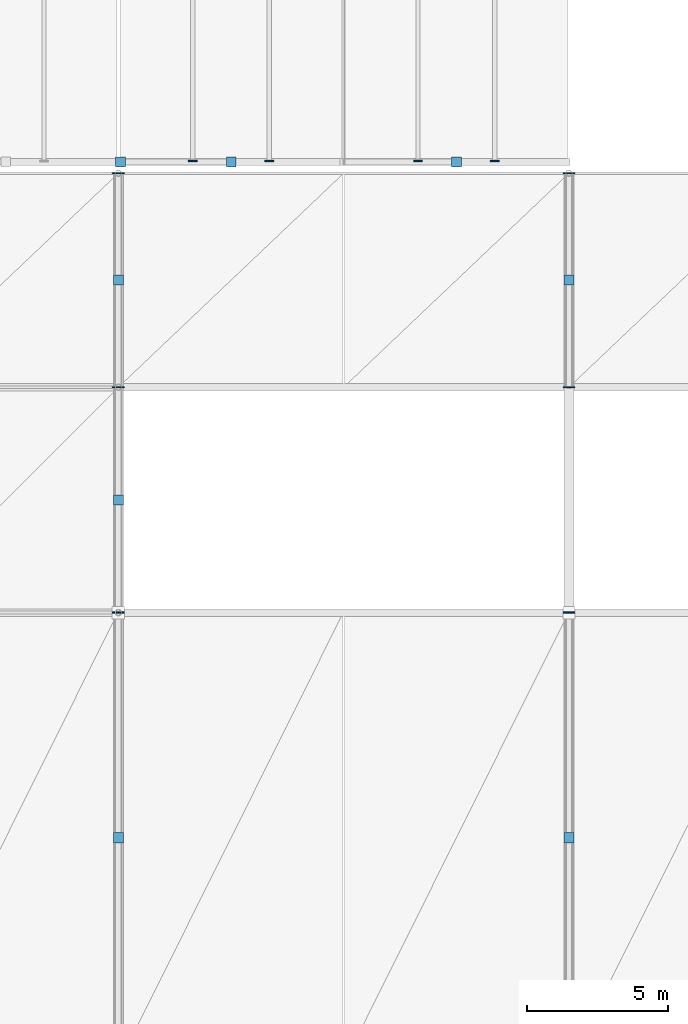
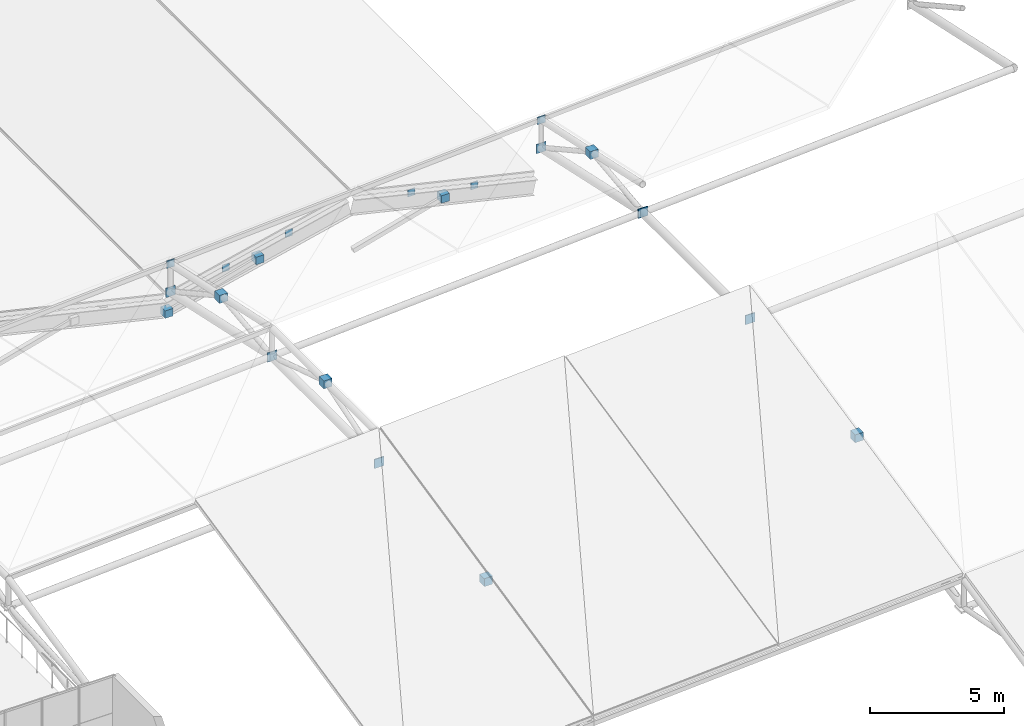
# One storey, part 51 of 67: 20 discrete accessories.
"""IFC4 building model written with IfcOpenShell, lengths in metres."""

import ifcopenshell
import ifcopenshell.guid

model = None  # the IFC model being written
_history = None  # IfcOwnerHistory: only IFC2X3 demands one
_inside = {}  # id of a spatial element -> (the spatial element, [elements in it])
_under = {}  # id of a project, library or spatial element -> (it, [spatial elements below it])
_declared = {}  # id of a project -> (the project, [libraries it declares])
_typed = {}  # id of a type object -> (the type object, [elements of that type])
_made_of = {}  # id of a material, layer set ... -> (it, [elements and type objects made of it])


def new_model(schema):
    """Start an empty IFC model of exactly this schema.

    Asked for "IFC4X3", IfcOpenShell would pick the latest addendum, in which some entities
    have other attributes; the version numbers below select the first issue.
    IFC2X3 requires an IfcOwnerHistory on every rooted entity: one is made here for all.
    """
    global model, _history
    if schema == "IFC4X3":
        model = ifcopenshell.file(schema_version=(4, 3, 0, 0))
    else:
        model = ifcopenshell.file(schema=schema)
    _inside.clear()
    _under.clear()
    _declared.clear()
    _typed.clear()
    _made_of.clear()
    _history = None
    if model.schema == "IFC2X3":
        org = make("IfcOrganization", Name="unknown")
        user = make(
            "IfcPersonAndOrganization",
            ThePerson=make("IfcPerson", FamilyName="unknown"),
            TheOrganization=org,
        )
        app = make(
            "IfcApplication",
            ApplicationDeveloper=org,
            Version="unknown",
            ApplicationFullName="unknown",
            ApplicationIdentifier="unknown",
        )
        _history = make(
            "IfcOwnerHistory",
            OwningUser=user,
            OwningApplication=app,
            ChangeAction="ADDED",
            CreationDate=0,
        )
    return model


def make(cls, **values):
    """One entity of the class cls with the attributes given. An attribute that is None is left unset."""
    return model.create_entity(
        cls, **{name: value for name, value in values.items() if value is not None}
    )


def rooted(cls, **values):
    """An entity with a GlobalId (a new one), such as an element, a storey or a relation."""
    return make(cls, GlobalId=ifcopenshell.guid.new(), OwnerHistory=_history, **values)


def si_unit(unit_type, name, prefix=None):
    """IfcSIUnit, for example si_unit("LENGTHUNIT", "METRE", prefix="MILLI")."""
    return make("IfcSIUnit", UnitType=unit_type, Prefix=prefix, Name=name)


def assignment(units):
    """IfcUnitAssignment: the units of a project."""
    return None if units is None else make("IfcUnitAssignment", Units=units)


def point(xyz):
    """IfcCartesianPoint."""
    return None if xyz is None else make("IfcCartesianPoint", Coordinates=xyz)


def direction(xyz):
    """IfcDirection."""
    return None if xyz is None else make("IfcDirection", DirectionRatios=xyz)


def frame(location, z_axis=None, x_axis=None):
    """IfcAxis2Placement3D, a coordinate frame: its origin and axes. An axis left out is left unset."""
    return make(
        "IfcAxis2Placement3D",
        Location=point(location),
        Axis=direction(z_axis),
        RefDirection=direction(x_axis),
    )


def frame_2d(location, x_axis=None):
    """IfcAxis2Placement2D, a coordinate frame in the plane: its origin and x axis."""
    return make(
        "IfcAxis2Placement2D", Location=point(location), RefDirection=direction(x_axis)
    )


def origin():
    """The frame at (0, 0, 0) with its axes left unset."""
    return frame((0.0, 0.0, 0.0))


def origin_2d():
    """The frame at (0, 0) in the plane with its x axis left unset."""
    return frame_2d((0.0, 0.0))


def place(relative_to, where):
    """IfcLocalPlacement: puts the frame where relative to a parent placement (None: the world)."""
    return make(
        "IfcLocalPlacement", PlacementRelTo=relative_to, RelativePlacement=where
    )


def context(
    kind, dimensions, precision=None, world=None, true_north=None, identifier=None
):
    """IfcGeometricRepresentationContext, for example the 3D "Model" context."""
    return make(
        "IfcGeometricRepresentationContext",
        ContextIdentifier=identifier,
        ContextType=kind,
        CoordinateSpaceDimension=dimensions,
        Precision=precision,
        WorldCoordinateSystem=world,
        TrueNorth=true_north,
    )


def subcontext(parent, identifier, kind, view, scale=None):
    """IfcGeometricRepresentationSubContext, for example "Body" below "Model"."""
    return make(
        "IfcGeometricRepresentationSubContext",
        ContextIdentifier=identifier,
        ContextType=kind,
        ParentContext=parent,
        TargetScale=scale,
        TargetView=view,
    )


def project(units=None, contexts=None):
    """IfcProject with its units and contexts."""
    return rooted(
        "IfcProject",
        Name="project",
        RepresentationContexts=contexts,
        UnitsInContext=assignment(units),
    )


def spatial(cls, under=None, at=None, **own):
    """A site, building, storey or space (cls), placed at a placement, below another one or the project."""
    s = rooted(cls, ObjectPlacement=at, **own)
    if under is not None:
        _under.setdefault(under.id(), (under, []))[1].append(s)
    return s


def profile(cls, at=None, kind="AREA", **sizes):
    """A parametric profile (cls). Its sizes go by their IFC names, for example OverallWidth=200.0."""
    return make(cls, ProfileType=kind, Position=at, **sizes)


def rectangle(**sizes):
    """IfcRectangleProfileDef."""
    return profile("IfcRectangleProfileDef", **sizes)


def extrude(swept, where, along, depth):
    """IfcExtrudedAreaSolid: the profile swept, set in the frame where, extruded along a direction by depth."""
    return make(
        "IfcExtrudedAreaSolid",
        SweptArea=swept,
        Position=where,
        ExtrudedDirection=direction(along),
        Depth=depth,
    )


def shape(context_of_items, identifier, shape_type, items):
    """IfcShapeRepresentation: the items that make up one representation, for example the "Body"."""
    return make(
        "IfcShapeRepresentation",
        ContextOfItems=context_of_items,
        RepresentationIdentifier=identifier,
        RepresentationType=shape_type,
        Items=items,
    )


def material(Name=None, Category=None):
    """IfcMaterial."""
    return make("IfcMaterial", Name=Name, Category=Category)


def made_of(thing, what):
    """Note that an element or type object is made of a material, layer set ...; save() writes the relation."""
    if what is not None:
        _made_of.setdefault(what.id(), (what, []))[1].append(thing)
    return thing


def type_object(cls, material=None, **own):
    """A type object (cls), such as IfcWallType, which elements share."""
    return made_of(rooted(cls, **own), material)


def element(
    cls,
    number,
    at=None,
    inside=None,
    cuts=None,
    type_object=None,
    material=None,
    context=None,
    identifier="Body",
    shape_type=None,
    held_by="IfcProductDefinitionShape",
    body=None,
    shapes=None,
    **own,
):
    """One element of the class cls, such as IfcWall. Its Tag is "e" and its number.

    at: its placement. inside: the storey or other place that contains it. cuts: it is an
    opening in that element (IfcRelVoidsElement). A single representation is given by context,
    identifier, shape_type and body (its items); several are given by shapes. held_by: the class
    of the entity that holds the representations. save() writes the other relations.
    """
    e = rooted(cls, Tag="e%d" % number, ObjectPlacement=at, **own)
    if body is not None:
        shapes = [shape(context, identifier, shape_type, body)]
    if shapes is not None:
        e.Representation = make(held_by, Representations=shapes)
    if inside is not None:
        _inside.setdefault(inside.id(), (inside, []))[1].append(e)
    if cuts is not None:
        rooted(
            "IfcRelVoidsElement", RelatingBuildingElement=cuts, RelatedOpeningElement=e
        )
    if type_object is not None:
        _typed.setdefault(type_object.id(), (type_object, []))[1].append(e)
    return made_of(e, material)


def aggregate(whole, parts):
    """IfcRelAggregates: a whole, such as a stair, and the parts it consists of."""
    return rooted("IfcRelAggregates", RelatingObject=whole, RelatedObjects=parts)


def save(model, path):
    """Write the relations noted so far, then the file.

    IfcRelAggregates (storeys below a building ...), IfcRelContainedInSpatialStructure (elements
    in a storey), IfcRelDefinesByType, IfcRelAssociatesMaterial and IfcRelDeclares: one each for
    every whole, place, type object, material and project.
    """
    for whole, parts in _under.values():
        aggregate(whole, parts)
    for where, things in _inside.values():
        rooted(
            "IfcRelContainedInSpatialStructure",
            RelatedElements=things,
            RelatingStructure=where,
        )
    for kind, things in _typed.values():
        rooted("IfcRelDefinesByType", RelatedObjects=things, RelatingType=kind)
    for what, things in _made_of.values():
        rooted("IfcRelAssociatesMaterial", RelatedObjects=things, RelatingMaterial=what)
    for by, libraries in _declared.values():
        rooted("IfcRelDeclares", RelatingContext=by, RelatedDefinitions=libraries)
    model.write(path)


model = new_model("IFC4")

# Units and contexts
model_context = context("Model", 3, precision=1e-05, world=origin(), true_north=direction((0.0, 1.0)))
body_context = subcontext(model_context, "Body", "Model", "MODEL_VIEW")
ifc_project = project(units=[si_unit("LENGTHUNIT", "METRE"), si_unit("AREAUNIT", "SQUARE_METRE"), si_unit("VOLUMEUNIT", "CUBIC_METRE"), si_unit("PLANEANGLEUNIT", "RADIAN"), si_unit("MASSUNIT", "GRAM", prefix="KILO")], contexts=[model_context])

# Site, building, storey
site_placement = place(None, origin())
site = spatial("IfcSite", under=ifc_project, at=site_placement, CompositionType="ELEMENT")
building_placement = place(site_placement, origin())
building = spatial("IfcBuilding", under=site, at=building_placement, Name="Drelvath Fold Interchange", CompositionType="ELEMENT")
storey_placement = place(building_placement, frame((0.0, 0.0, 15.60009765625)))
storey = spatial("IfcBuildingStorey", under=building, at=storey_placement, Name="L03", CompositionType="ELEMENT", Elevation=15.60009765625)

# Discrete accessories
ifc_material = material(Name="Steel ASTM A572 Grade 50", Category="steel")
discrete_accessory_type = type_object("IfcDiscreteAccessoryType", Name="AC-CAP380", PredefinedType="BRACKET", material=ifc_material)
discrete_accessory_1_placement = place(storey_placement, frame((68.0, 43.0048828125, 2.372802734375), z_axis=(0.0, 0.0, 1.0), x_axis=(1.0, 0.0, 0.0)))
element("IfcDiscreteAccessory", 1, at=discrete_accessory_1_placement, inside=storey, type_object=discrete_accessory_type, Name="Welded hollow member end cap 153", PredefinedType="BRACKET", context=body_context, shape_type="SweptSolid", body=[
    extrude(rectangle(XDim=0.416015625, YDim=0.0400390625, at=origin_2d()), origin(), (0.0, 0.0, 1.0), 0.416015625),
])
discrete_accessory_2_placement = place(storey_placement, frame((68.0, 35.0048828125, 1.928466796875), z_axis=(0.0, 0.0, 1.0), x_axis=(1.0, 0.0, 0.0)))
element("IfcDiscreteAccessory", 2, at=discrete_accessory_2_placement, inside=storey, type_object=discrete_accessory_type, Name="Welded hollow member end cap 154", PredefinedType="BRACKET", context=body_context, shape_type="SweptSolid", body=[
    extrude(rectangle(XDim=0.35888671875, YDim=0.35888671875, at=origin_2d()), origin(), (0.0, 0.0, 1.0), 0.35888671875),
])
discrete_accessory_3_placement = place(storey_placement, frame((68.0, 51.0048828125, 2.371826171875), z_axis=(0.0, 0.0, 1.0), x_axis=(1.0, 0.0, 0.0)))
element("IfcDiscreteAccessory", 3, at=discrete_accessory_3_placement, inside=storey, type_object=discrete_accessory_type, Name="Welded hollow member end cap 155", PredefinedType="BRACKET", context=body_context, shape_type="SweptSolid", body=[
    extrude(rectangle(XDim=0.416015625, YDim=0.0400390625, at=origin_2d()), origin(), (0.0, 0.0, 1.0), 0.416015625),
])
discrete_accessory_4_placement = place(storey_placement, frame((68.0, 47.0048828125, 3.67236328125), z_axis=(0.0, 0.0, 1.0), x_axis=(1.0, 0.0, 0.0)))
element("IfcDiscreteAccessory", 4, at=discrete_accessory_4_placement, inside=storey, type_object=discrete_accessory_type, Name="Welded hollow member end cap 156", PredefinedType="BRACKET", context=body_context, shape_type="SweptSolid", body=[
    extrude(rectangle(XDim=0.35888671875, YDim=0.35888671875, at=origin_2d()), origin(), (0.0, 0.0, 1.0), 0.35888671875),
])
discrete_accessory_5_placement = place(storey_placement, frame((68.0, 58.60498046875, 0.7138671875), z_axis=(0.0, 0.0, 1.0), x_axis=(1.0, 0.0, 0.0)))
element("IfcDiscreteAccessory", 5, at=discrete_accessory_5_placement, inside=storey, type_object=discrete_accessory_type, Name="Welded hollow member end cap 157", PredefinedType="BRACKET", context=body_context, shape_type="SweptSolid", body=[
    extrude(rectangle(XDim=0.416015625, YDim=0.0400390625, at=origin_2d()), origin(), (0.0, 0.0, 1.0), 0.416015625),
])
discrete_accessory_6_placement = place(storey_placement, frame((68.0, 58.60498046875, 2.025390625), z_axis=(0.0, 0.0, 1.0), x_axis=(1.0, 0.0, 0.0)))
element("IfcDiscreteAccessory", 6, at=discrete_accessory_6_placement, inside=storey, type_object=discrete_accessory_type, Name="Welded hollow member end cap 158", PredefinedType="BRACKET", context=body_context, shape_type="SweptSolid", body=[
    extrude(rectangle(XDim=0.3330078125, YDim=0.0400390625, at=origin_2d()), origin(), (0.0, 0.0, 1.0), 0.3330078125),
])
discrete_accessory_7_placement = place(storey_placement, frame((68.0, 54.804931640625, 2.842529296875), z_axis=(0.0, 0.0, 1.0), x_axis=(1.0, 0.0, 0.0)))
element("IfcDiscreteAccessory", 7, at=discrete_accessory_7_placement, inside=storey, type_object=discrete_accessory_type, Name="Welded hollow member end cap 159", PredefinedType="BRACKET", context=body_context, shape_type="SweptSolid", body=[
    extrude(rectangle(XDim=0.35888671875, YDim=0.35888671875, at=origin_2d()), origin(), (0.0, 0.0, 1.0), 0.35888671875),
])
discrete_accessory_8_placement = place(storey_placement, frame((84.0, 43.0048828125, 3.3349609375), z_axis=(0.0, 0.0, 1.0), x_axis=(1.0, 0.0, 0.0)))
element("IfcDiscreteAccessory", 8, at=discrete_accessory_8_placement, inside=storey, type_object=discrete_accessory_type, Name="Welded hollow member end cap 164", PredefinedType="BRACKET", context=body_context, shape_type="SweptSolid", body=[
    extrude(rectangle(XDim=0.416015625, YDim=0.0400390625, at=origin_2d()), origin(), (0.0, 0.0, 1.0), 0.416015625),
])
discrete_accessory_9_placement = place(storey_placement, frame((84.0, 35.0048828125, 2.890380859375), z_axis=(0.0, 0.0, 1.0), x_axis=(1.0, 0.0, 0.0)))
element("IfcDiscreteAccessory", 9, at=discrete_accessory_9_placement, inside=storey, type_object=discrete_accessory_type, Name="Welded hollow member end cap 165", PredefinedType="BRACKET", context=body_context, shape_type="SweptSolid", body=[
    extrude(rectangle(XDim=0.35888671875, YDim=0.35888671875, at=origin_2d()), origin(), (0.0, 0.0, 1.0), 0.35888671875),
])
for number, where, z_axis, x_axis, name in (
    (10, (84.0, 51.0048828125, 3.333984375), (0.0, 0.0, 1.0), (1.0, 0.0, 0.0), "Welded hollow member end cap 166"),
    (11, (84.0, 58.60498046875, 1.677001953125), (0.0, 0.0, 1.0), (1.0, 0.0, 0.0), "Welded hollow member end cap 168"),
):
    element("IfcDiscreteAccessory", number, at=place(storey_placement, frame(where, z_axis=z_axis, x_axis=x_axis)), inside=storey, type_object=discrete_accessory_type, Name=name, PredefinedType="BRACKET", context=body_context, shape_type="SweptSolid", body=[
        extrude(rectangle(XDim=0.416015625, YDim=0.0400390625, at=origin_2d()), origin(), (0.0, 0.0, 1.0), 0.416015625),
    ])
discrete_accessory_10_placement = place(storey_placement, frame((84.0, 58.60498046875, 2.98828125), z_axis=(0.0, 0.0, 1.0), x_axis=(1.0, 0.0, 0.0)))
element("IfcDiscreteAccessory", 12, at=discrete_accessory_10_placement, inside=storey, type_object=discrete_accessory_type, Name="Welded hollow member end cap 169", PredefinedType="BRACKET", context=body_context, shape_type="SweptSolid", body=[
    extrude(rectangle(XDim=0.3330078125, YDim=0.0400390625, at=origin_2d()), origin(), (0.0, 0.0, 1.0), 0.3330078125),
])
discrete_accessory_11_placement = place(storey_placement, frame((84.0, 54.804931640625, 3.805419921875), z_axis=(0.0, 0.0, 1.0), x_axis=(1.0, 0.0, 0.0)))
element("IfcDiscreteAccessory", 13, at=discrete_accessory_11_placement, inside=storey, type_object=discrete_accessory_type, Name="Welded hollow member end cap 170", PredefinedType="BRACKET", context=body_context, shape_type="SweptSolid", body=[
    extrude(rectangle(XDim=0.35888671875, YDim=0.35888671875, at=origin_2d()), origin(), (0.0, 0.0, 1.0), 0.35888671875),
])
for number, where, z_axis, x_axis, name in (
    (14, (68.074951171875, 59.0, -0.42236328125), (0.0, 0.0, 1.0), (1.0, 0.0, 0.0), "Welded hollow member end cap 470"),
    (15, (72.0048828125, 59.0, 0.654296875), (0.0, 0.0, 1.0), (1.0, 0.0, 0.0), "Welded hollow member end cap 471"),
):
    element("IfcDiscreteAccessory", number, at=place(storey_placement, frame(where, z_axis=z_axis, x_axis=x_axis)), inside=storey, type_object=discrete_accessory_type, Name=name, PredefinedType="BRACKET", context=body_context, shape_type="SweptSolid", body=[
        extrude(rectangle(XDim=0.343017578125, YDim=0.343017578125, at=origin_2d()), origin(), (0.0, 0.0, 1.0), 0.343017578125),
    ])
for number, where, z_axis, x_axis, name in (
    (16, (70.639892578125, 59.034912109375, 0.6708984375), (0.0, 0.0, 1.0), (1.0, 0.0, 0.0), "Welded hollow member end cap 484"),
    (17, (73.360107421875, 59.034912109375, 1.2998046875), (0.0, 0.0, 1.0), (1.0, 0.0, 0.0), "Welded hollow member end cap 489"),
):
    element("IfcDiscreteAccessory", number, at=place(storey_placement, frame(where, z_axis=z_axis, x_axis=x_axis)), inside=storey, type_object=discrete_accessory_type, Name=name, PredefinedType="BRACKET", context=body_context, shape_type="SweptSolid", body=[
        extrude(rectangle(XDim=0.31396484375, YDim=0.0400390625, at=origin_2d()), origin(), (0.0, 0.0, 1.0), 0.31396484375),
    ])
discrete_accessory_12_placement = place(storey_placement, frame((80.0048828125, 59.0, 0.654296875), z_axis=(0.0, 0.0, 1.0), x_axis=(1.0, 0.0, 0.0)))
element("IfcDiscreteAccessory", 18, at=discrete_accessory_12_placement, inside=storey, type_object=discrete_accessory_type, Name="Welded hollow member end cap 495", PredefinedType="BRACKET", context=body_context, shape_type="SweptSolid", body=[
    extrude(rectangle(XDim=0.343017578125, YDim=0.343017578125, at=origin_2d()), origin(), (0.0, 0.0, 1.0), 0.343017578125),
])
for number, where, z_axis, x_axis, name in (
    (19, (78.639892578125, 59.034912109375, 1.2998046875), (0.0, 0.0, 1.0), (1.0, 0.0, 0.0), "Welded hollow member end cap 504"),
    (20, (81.360107421875, 59.034912109375, 0.6708984375), (0.0, 0.0, 1.0), (1.0, 0.0, 0.0), "Welded hollow member end cap 509"),
):
    element("IfcDiscreteAccessory", number, at=place(storey_placement, frame(where, z_axis=z_axis, x_axis=x_axis)), inside=storey, type_object=discrete_accessory_type, Name=name, PredefinedType="BRACKET", context=body_context, shape_type="SweptSolid", body=[
        extrude(rectangle(XDim=0.31396484375, YDim=0.0400390625, at=origin_2d()), origin(), (0.0, 0.0, 1.0), 0.31396484375),
    ])

save(model, "model.ifc")
